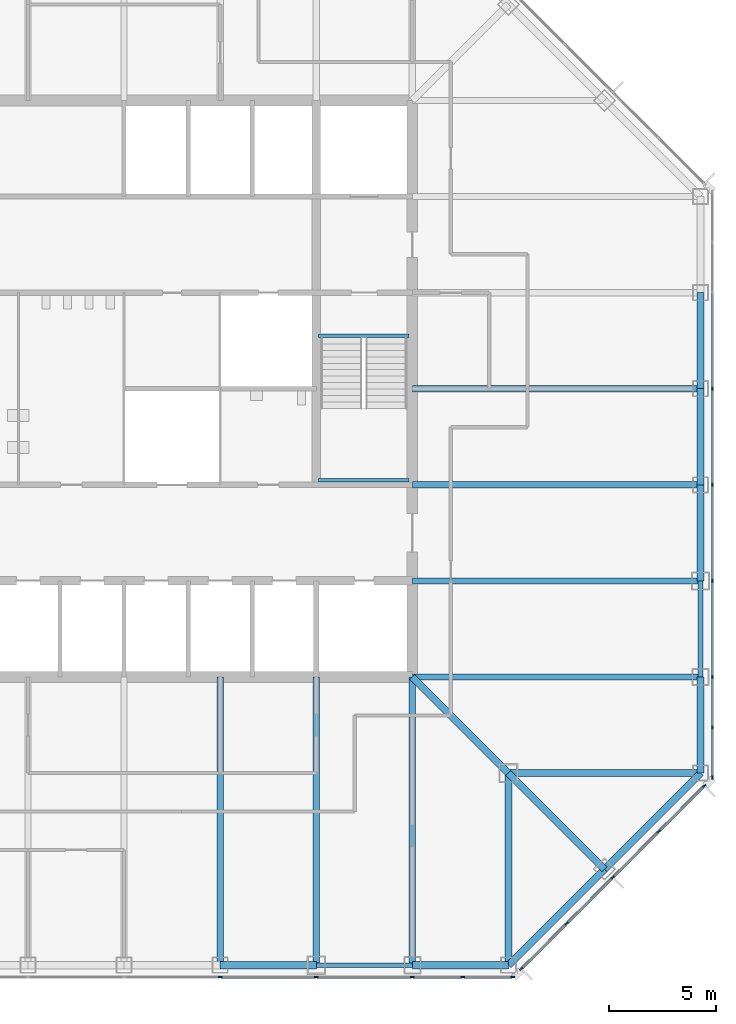
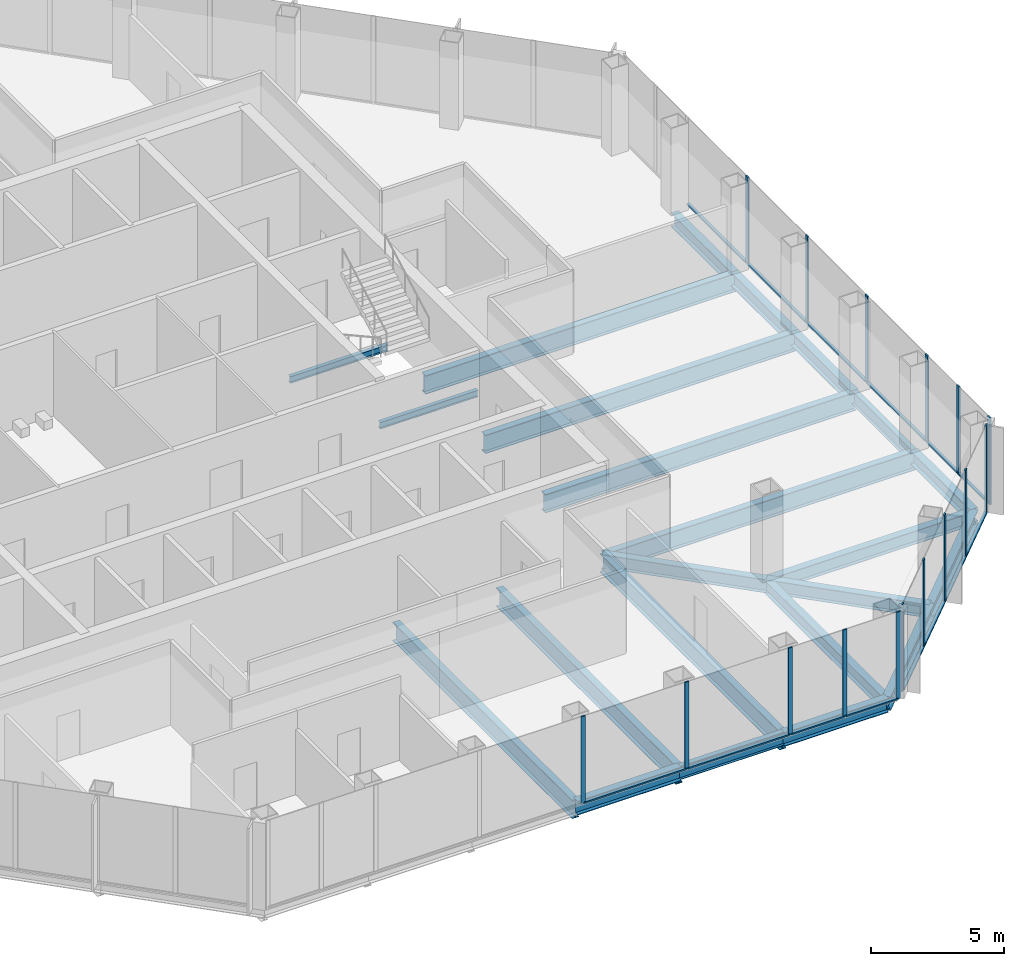
# One storey, part 4 of 13: 30 members, 23 beams, 3 elements without a shape of their own.
"""IFC4 building model written with IfcOpenShell, lengths in metres."""

from ifc_helpers import new_model, si_unit, direction, frame, origin, origin_2d, place, context, subcontext, project, spatial, rectangle, i_section, extrude, material, material_profile, profile_set, type_object, element, aggregate, save


model = new_model("IFC4")

# Units and contexts
model_context = context("Model", 3, precision=1e-05, world=origin(), true_north=direction((0.0, 1.0)))
body_context = subcontext(model_context, "Body", "Model", "MODEL_VIEW")
ifc_project = project(units=[si_unit("LENGTHUNIT", "METRE"), si_unit("AREAUNIT", "SQUARE_METRE"), si_unit("VOLUMEUNIT", "CUBIC_METRE"), si_unit("PLANEANGLEUNIT", "RADIAN"), si_unit("MASSUNIT", "GRAM", prefix="KILO")], contexts=[model_context])

# Site, building, storey
site_placement = place(None, origin())
site = spatial("IfcSite", under=ifc_project, at=site_placement, CompositionType="ELEMENT")
building_placement = place(site_placement, origin())
building = spatial("IfcBuilding", under=site, at=building_placement, Name="Corais Broadcast Tower", CompositionType="ELEMENT")
storey_placement = place(building_placement, frame((0.0, 0.0, 123.60009765625)))
storey = spatial("IfcBuildingStorey", under=building, at=storey_placement, Name="L27", CompositionType="ELEMENT", Elevation=123.60009765625)

# Beams
ifc_material_1 = material(Name="Steel ASTM A572 Grade 50", Category="steel")
ifc_material_profile_1 = material_profile(ifc_material_1, i_section(OverallWidth=0.323974609375, OverallDepth=0.611083984375, WebThickness=0.0126953125, FlangeThickness=0.01904296875, at=origin_2d()), Name="W610x155")
ifc_profile_set_1 = profile_set([ifc_material_profile_1], Name="Steel ASTM A572 Grade 50")
beam_type_1 = type_object("IfcBeamType", Name="Chamfer tie W610x155", PredefinedType="BEAM", material=ifc_profile_set_1)
beam_1_placement = place(storey_placement, frame((49.5, 4.5, -0.465576171875), z_axis=(-0.707106781187, 0.707106781187, 0.0), x_axis=(-0.707106781187, -0.707106781187, 0.0)))
element("IfcBeam", 1, at=beam_1_placement, inside=storey, type_object=beam_type_1, Name="B5 B/14 to C/13", PredefinedType="BEAM", context=body_context, shape_type="SweptSolid", body=[
    extrude(i_section(OverallWidth=0.323974609375, OverallDepth=0.611083984375, WebThickness=0.0126953125, FlangeThickness=0.01904296875, at=origin_2d()), origin(), (0.0, 0.0, 1.0), 6.364013671875),
])
ifc_material_2 = material(Name="Steel ASTM A572 Grade 50", Category="steel")
ifc_material_profile_2 = material_profile(ifc_material_2, i_section(OverallWidth=0.323974609375, OverallDepth=0.611083984375, WebThickness=0.0126953125, FlangeThickness=0.01904296875, at=origin_2d()), Name="W610x155")
ifc_profile_set_2 = profile_set([ifc_material_profile_2], Name="Steel ASTM A572 Grade 50")
beam_type_2 = type_object("IfcBeamType", Name="Corner diagonal W610x155", PredefinedType="BEAM", material=ifc_profile_set_2)
beam_2_placement = place(storey_placement, frame((45.0, 9.0, -0.465576171875), z_axis=(-0.707106781187, 0.707106781187, 0.0), x_axis=(-0.707106781187, -0.707106781187, 0.0)))
element("IfcBeam", 2, at=beam_2_placement, inside=storey, type_object=beam_type_2, Name="B6 C/13 to D/12", PredefinedType="BEAM", context=body_context, shape_type="SweptSolid", body=[
    extrude(i_section(OverallWidth=0.323974609375, OverallDepth=0.611083984375, WebThickness=0.0126953125, FlangeThickness=0.01904296875, at=origin_2d()), origin(), (0.0, 0.0, 1.0), 6.364013671875),
])
ifc_material_3 = material(Name="Steel ASTM A572 Grade 50", Category="steel")
ifc_material_profile_3 = material_profile(ifc_material_3, i_section(OverallWidth=0.323974609375, OverallDepth=0.611083984375, WebThickness=0.0126953125, FlangeThickness=0.01904296875, at=origin_2d()), Name="W610x155")
ifc_profile_set_3 = profile_set([ifc_material_profile_3], Name="Steel ASTM A572 Grade 50")
beam_type_3 = type_object("IfcBeamType", Name="Corner girder W610x155", PredefinedType="BEAM", material=ifc_profile_set_3)
for number, where, z_axis, x_axis, name in (
    (3, (45.0, 0.0, -0.465576171875), (0.0, 1.0, 0.0), (-1.0, 0.0, 0.0), "B4 A/13 to C/13"),
    (4, (54.0, 9.0, -0.465576171875), (-1.0, 0.0, 0.0), (0.0, -1.0, 0.0), "B4 C/15 to C/13"),
):
    element("IfcBeam", number, at=place(storey_placement, frame(where, z_axis=z_axis, x_axis=x_axis)), inside=storey, type_object=beam_type_3, Name=name, PredefinedType="BEAM", context=body_context, shape_type="SweptSolid", body=[
        extrude(i_section(OverallWidth=0.323974609375, OverallDepth=0.611083984375, WebThickness=0.0126953125, FlangeThickness=0.01904296875, at=origin_2d()), origin(), (0.0, 0.0, 1.0), 9.0),
    ])
ifc_material_4 = material(Name="Steel ASTM A572 Grade 50", Category="steel")
ifc_material_profile_4 = material_profile(ifc_material_4, i_section(OverallWidth=0.2939453125, OverallDepth=0.85107421875, WebThickness=0.01611328125, FlangeThickness=0.02685546875, at=origin_2d()), Name="W840x226")
ifc_profile_set_4 = profile_set([ifc_material_profile_4], Name="Steel ASTM A572 Grade 50")
beam_type_4 = type_object("IfcBeamType", Name="Floor beam W840x226", PredefinedType="BEAM", material=ifc_profile_set_4)
for number, where, z_axis, x_axis, name in (
    (5, (31.5, 0.0, -0.585693359375), (0.0, 1.0, 0.0), (-1.0, 0.0, 0.0), "B1 A/10 to D/10"),
    (6, (36.0, 0.0, -0.585693359375), (0.0, 1.0, 0.0), (-1.0, 0.0, 0.0), "B1 A/11 to D/11"),
    (7, (40.5, 0.0, -0.585693359375), (0.0, 1.0, 0.0), (-1.0, 0.0, 0.0), "B1 A/12 to D/12"),
    (8, (54.0, 13.5, -0.585693359375), (-1.0, 0.0, 0.0), (0.0, -1.0, 0.0), "B1 D/15 to D/12"),
    (9, (54.0, 18.0, -0.585693359375), (-1.0, 0.0, 0.0), (0.0, -1.0, 0.0), "B1 E/15 to E/12"),
    (10, (54.0, 22.5, -0.585693359375), (-1.0, 0.0, 0.0), (0.0, -1.0, 0.0), "B1 F/15 to F/12"),
    (11, (54.0, 27.0, -0.585693359375), (-1.0, 0.0, 0.0), (0.0, -1.0, 0.0), "B1 G/15 to G/12"),
):
    element("IfcBeam", number, at=place(storey_placement, frame(where, z_axis=z_axis, x_axis=x_axis)), inside=storey, type_object=beam_type_4, Name=name, PredefinedType="BEAM", context=body_context, shape_type="SweptSolid", body=[
        extrude(i_section(OverallWidth=0.2939453125, OverallDepth=0.85107421875, WebThickness=0.01611328125, FlangeThickness=0.02685546875, at=origin_2d()), origin(), (0.0, 0.0, 1.0), 13.5),
    ])
ifc_material_5 = material(Name="Steel ASTM A572 Grade 50", Category="steel")
ifc_material_profile_5 = material_profile(ifc_material_5, i_section(OverallWidth=0.1650390625, OverallDepth=0.31005859375, WebThickness=0.005859375, FlangeThickness=0.009765625, at=origin_2d()), Name="W310x38.7")
ifc_profile_set_5 = profile_set([ifc_material_profile_5], Name="Steel ASTM A572 Grade 50")
beam_type_5 = type_object("IfcBeamType", Name="Landing trimmer W310x38.7", PredefinedType="BEAM", material=ifc_profile_set_5)
for number, where, z_axis, x_axis, name in (
    (12, (36.10009765625, 29.47509765625, -0.35498046875), (1.0, 0.0, 0.0), (0.0, 1.0, 0.0), "LT1 stair B landing trimmer L27"),
    (13, (36.10009765625, 22.715087890625, 1.64501953125), (1.0, 0.0, 0.0), (0.0, 1.0, 0.0), "LT1 stair B half landing trimmer L27"),
):
    element("IfcBeam", number, at=place(storey_placement, frame(where, z_axis=z_axis, x_axis=x_axis)), inside=storey, type_object=beam_type_5, Name=name, PredefinedType="BEAM", context=body_context, shape_type="SweptSolid", body=[
        extrude(i_section(OverallWidth=0.1650390625, OverallDepth=0.31005859375, WebThickness=0.005859375, FlangeThickness=0.009765625, at=origin_2d()), origin(), (0.0, 0.0, 1.0), 4.25),
    ])

# Curtain wall, members
ifc_material_6 = material(Name="Aluminium and glass", Category="aluminium")
curtain_wall_type = type_object("IfcCurtainWallType", Name="Unitised fritted curtain wall CW2", PredefinedType="NOTDEFINED", material=ifc_material_6)
curtain_wall_1_placement = place(storey_placement, origin())
curtain_wall_1 = element("IfcCurtainWall", 14, at=curtain_wall_1_placement, inside=storey, type_object=curtain_wall_type, Name="CW2 curtain wall L27 6", PredefinedType="NOTDEFINED")
ifc_material_7 = material(Name="Aluminium 6063-T6", Category="aluminium")
ifc_material_profile_6 = material_profile(ifc_material_7, rectangle(XDim=0.06494140625, YDim=0.179931640625, at=origin_2d()), Name="Mullion CW2 65x180")
ifc_profile_set_6 = profile_set([ifc_material_profile_6], Name="Aluminium 6063-T6")
member_type_1 = type_object("IfcMemberType", Name="Mullion CW2 65x180", PredefinedType="MULLION", material=ifc_profile_set_6)
member_1_placement = place(storey_placement, frame((54.550048828125, 27.0, 0.0), z_axis=(0.0, 0.0, 1.0), x_axis=(1.0, 0.0, 0.0)))
member_1 = element("IfcMember", 15, at=member_1_placement, type_object=member_type_1, Name="CW2 mullion 4", PredefinedType="MULLION", context=body_context, shape_type="SweptSolid", body=[
    extrude(rectangle(XDim=0.06494140625, YDim=0.179931640625, at=origin_2d()), origin(), (0.0, 0.0, 1.0), 4.0),
])
member_2_placement = place(storey_placement, frame((54.550048828125, 22.5, 0.0), z_axis=(0.0, 0.0, 1.0), x_axis=(1.0, 0.0, 0.0)))
member_2 = element("IfcMember", 16, at=member_2_placement, type_object=member_type_1, Name="CW2 mullion 5", PredefinedType="MULLION", context=body_context, shape_type="SweptSolid", body=[
    extrude(rectangle(XDim=0.06494140625, YDim=0.179931640625, at=origin_2d()), origin(), (0.0, 0.0, 1.0), 4.0),
])
member_3_placement = place(storey_placement, frame((54.550048828125, 18.0, 0.0), z_axis=(0.0, 0.0, 1.0), x_axis=(1.0, 0.0, 0.0)))
member_3 = element("IfcMember", 17, at=member_3_placement, type_object=member_type_1, Name="CW2 mullion 6", PredefinedType="MULLION", context=body_context, shape_type="SweptSolid", body=[
    extrude(rectangle(XDim=0.06494140625, YDim=0.179931640625, at=origin_2d()), origin(), (0.0, 0.0, 1.0), 4.0),
])
member_4_placement = place(storey_placement, frame((54.550048828125, 13.5, 0.0), z_axis=(0.0, 0.0, 1.0), x_axis=(1.0, 0.0, 0.0)))
member_4 = element("IfcMember", 18, at=member_4_placement, type_object=member_type_1, Name="CW2 mullion 7", PredefinedType="MULLION", context=body_context, shape_type="SweptSolid", body=[
    extrude(rectangle(XDim=0.06494140625, YDim=0.179931640625, at=origin_2d()), origin(), (0.0, 0.0, 1.0), 4.0),
])
member_5_placement = place(storey_placement, frame((54.550048828125, 11.135986328125, 0.0), z_axis=(0.0, 0.0, 1.0), x_axis=(1.0, 0.0, 0.0)))
member_5 = element("IfcMember", 19, at=member_5_placement, type_object=member_type_1, Name="CW2 mullion 8", PredefinedType="MULLION", context=body_context, shape_type="SweptSolid", body=[
    extrude(rectangle(XDim=0.06494140625, YDim=0.179931640625, at=origin_2d()), origin(), (0.0, 0.0, 1.0), 4.0),
])
member_6_placement = place(storey_placement, frame((54.550048828125, 8.8046875, 0.0), z_axis=(0.0, 0.0, 1.0), x_axis=(1.0, 0.0, 0.0)))
member_6 = element("IfcMember", 20, at=member_6_placement, type_object=member_type_1, Name="CW2 mullion 9", PredefinedType="MULLION", context=body_context, shape_type="SweptSolid", body=[
    extrude(rectangle(XDim=0.06494140625, YDim=0.179931640625, at=origin_2d()), origin(), (0.0, 0.0, 1.0), 4.0),
])

curtain_wall_2_placement = place(storey_placement, origin())
curtain_wall_2 = element("IfcCurtainWall", 21, at=curtain_wall_2_placement, inside=storey, type_object=curtain_wall_type, Name="CW2 curtain wall L27 7", PredefinedType="NOTDEFINED")
member_7_placement = place(storey_placement, frame((54.17333984375, 8.3955078125, 0.0), z_axis=(0.0, 0.0, 1.0), x_axis=(0.707106781187, -0.707106781187, 0.0)))
member_7 = element("IfcMember", 22, at=member_7_placement, type_object=member_type_1, Name="CW2 mullion 1", PredefinedType="MULLION", context=body_context, shape_type="SweptSolid", body=[
    extrude(rectangle(XDim=0.06494140625, YDim=0.179931640625, at=origin_2d()), origin(), (0.0, 0.0, 1.0), 4.0),
])
member_8_placement = place(storey_placement, frame((52.042724609375, 6.264892578125, 0.0), z_axis=(0.0, 0.0, 1.0), x_axis=(0.707106781187, -0.707106781187, 0.0)))
member_8 = element("IfcMember", 23, at=member_8_placement, type_object=member_type_1, Name="CW2 mullion 2", PredefinedType="MULLION", context=body_context, shape_type="SweptSolid", body=[
    extrude(rectangle(XDim=0.06494140625, YDim=0.179931640625, at=origin_2d()), origin(), (0.0, 0.0, 1.0), 4.0),
])
member_9_placement = place(storey_placement, frame((49.888916015625, 4.111083984375, 0.0), z_axis=(0.0, 0.0, 1.0), x_axis=(0.707106781187, -0.707106781187, 0.0)))
member_9 = element("IfcMember", 24, at=member_9_placement, type_object=member_type_1, Name="CW2 mullion 3", PredefinedType="MULLION", context=body_context, shape_type="SweptSolid", body=[
    extrude(rectangle(XDim=0.06494140625, YDim=0.179931640625, at=origin_2d()), origin(), (0.0, 0.0, 1.0), 4.0),
])
member_10_placement = place(storey_placement, frame((47.735107421875, 1.957275390625, 0.0), z_axis=(0.0, 0.0, 1.0), x_axis=(0.707106781187, -0.707106781187, 0.0)))
member_10 = element("IfcMember", 25, at=member_10_placement, type_object=member_type_1, Name="CW2 mullion 4", PredefinedType="MULLION", context=body_context, shape_type="SweptSolid", body=[
    extrude(rectangle(XDim=0.06494140625, YDim=0.179931640625, at=origin_2d()), origin(), (0.0, 0.0, 1.0), 4.0),
])
member_11_placement = place(storey_placement, frame((45.6044921875, -0.17333984375, 0.0), z_axis=(0.0, 0.0, 1.0), x_axis=(0.707106781187, -0.707106781187, 0.0)))
member_11 = element("IfcMember", 26, at=member_11_placement, type_object=member_type_1, Name="CW2 mullion 5", PredefinedType="MULLION", context=body_context, shape_type="SweptSolid", body=[
    extrude(rectangle(XDim=0.06494140625, YDim=0.179931640625, at=origin_2d()), origin(), (0.0, 0.0, 1.0), 4.0),
])

curtain_wall_3_placement = place(storey_placement, origin())
curtain_wall_3 = element("IfcCurtainWall", 27, at=curtain_wall_3_placement, inside=storey, type_object=curtain_wall_type, Name="CW2 curtain wall L27 8", PredefinedType="NOTDEFINED")
member_12_placement = place(storey_placement, frame((45.1953125, -0.550048828125, 0.0), z_axis=(0.0, 0.0, 1.0), x_axis=(0.0, -1.0, 0.0)))
member_12 = element("IfcMember", 28, at=member_12_placement, type_object=member_type_1, Name="CW2 mullion 1", PredefinedType="MULLION", context=body_context, shape_type="SweptSolid", body=[
    extrude(rectangle(XDim=0.06494140625, YDim=0.179931640625, at=origin_2d()), origin(), (0.0, 0.0, 1.0), 4.0),
])
member_13_placement = place(storey_placement, frame((42.864013671875, -0.550048828125, 0.0), z_axis=(0.0, 0.0, 1.0), x_axis=(0.0, -1.0, 0.0)))
member_13 = element("IfcMember", 29, at=member_13_placement, type_object=member_type_1, Name="CW2 mullion 2", PredefinedType="MULLION", context=body_context, shape_type="SweptSolid", body=[
    extrude(rectangle(XDim=0.06494140625, YDim=0.179931640625, at=origin_2d()), origin(), (0.0, 0.0, 1.0), 4.0),
])
member_14_placement = place(storey_placement, frame((40.5, -0.550048828125, 0.0), z_axis=(0.0, 0.0, 1.0), x_axis=(0.0, -1.0, 0.0)))
member_14 = element("IfcMember", 30, at=member_14_placement, type_object=member_type_1, Name="CW2 mullion 3", PredefinedType="MULLION", context=body_context, shape_type="SweptSolid", body=[
    extrude(rectangle(XDim=0.06494140625, YDim=0.179931640625, at=origin_2d()), origin(), (0.0, 0.0, 1.0), 4.0),
])
member_15_placement = place(storey_placement, frame((36.0, -0.550048828125, 0.0), z_axis=(0.0, 0.0, 1.0), x_axis=(0.0, -1.0, 0.0)))
member_15 = element("IfcMember", 31, at=member_15_placement, type_object=member_type_1, Name="CW2 mullion 4", PredefinedType="MULLION", context=body_context, shape_type="SweptSolid", body=[
    extrude(rectangle(XDim=0.06494140625, YDim=0.179931640625, at=origin_2d()), origin(), (0.0, 0.0, 1.0), 4.0),
])
member_16_placement = place(storey_placement, frame((31.5, -0.550048828125, 0.0), z_axis=(0.0, 0.0, 1.0), x_axis=(0.0, -1.0, 0.0)))
member_16 = element("IfcMember", 32, at=member_16_placement, type_object=member_type_1, Name="CW2 mullion 5", PredefinedType="MULLION", context=body_context, shape_type="SweptSolid", body=[
    extrude(rectangle(XDim=0.06494140625, YDim=0.179931640625, at=origin_2d()), origin(), (0.0, 0.0, 1.0), 4.0),
])

# Beams
ifc_material_8 = material(Name="Steel ASTM A572 Grade 50", Category="steel")
ifc_material_profile_7 = material_profile(ifc_material_8, i_section(OverallWidth=0.22900390625, OverallDepth=0.612060546875, WebThickness=0.011962890625, FlangeThickness=0.01953125, at=origin_2d()), Name="W610x125")
ifc_profile_set_7 = profile_set([ifc_material_profile_7], Name="Steel ASTM A572 Grade 50")
beam_type_6 = type_object("IfcBeamType", Name="Pinned spandrel W610x125", PredefinedType="BEAM", material=ifc_profile_set_7)
for number, where, z_axis, x_axis, name in (
    (33, (36.0, 0.0, -0.466064453125), (1.0, 0.0, 0.0), (0.0, 1.0, 0.0), "SB7 A/11 to A/12"),
    (34, (54.0, 13.5, -0.466064453125), (0.0, 1.0, 0.0), (-1.0, 0.0, 0.0), "SB7 D/15 to E/15"),
):
    element("IfcBeam", number, at=place(storey_placement, frame(where, z_axis=z_axis, x_axis=x_axis)), inside=storey, type_object=beam_type_6, Name=name, PredefinedType="BEAM", context=body_context, shape_type="SweptSolid", body=[
        extrude(i_section(OverallWidth=0.22900390625, OverallDepth=0.612060546875, WebThickness=0.011962890625, FlangeThickness=0.01953125, at=origin_2d()), origin(), (0.0, 0.0, 1.0), 4.5),
    ])
ifc_material_9 = material(Name="Steel ASTM A572 Grade 50", Category="steel")
ifc_material_profile_8 = material_profile(ifc_material_9, i_section(OverallWidth=0.3291015625, OverallDepth=0.635009765625, WebThickness=0.017822265625, FlangeThickness=0.031005859375, at=origin_2d()), Name="W610x241")
ifc_profile_set_8 = profile_set([ifc_material_profile_8], Name="Steel ASTM A572 Grade 50")
beam_type_7 = type_object("IfcBeamType", Name="Spandrel W610x241", PredefinedType="BEAM", material=ifc_profile_set_8)
for number, where, z_axis, x_axis, name in (
    (35, (31.5, 0.0, -0.4775390625), (1.0, 0.0, 0.0), (0.0, 1.0, 0.0), "SB1 A/10 to A/11"),
    (36, (40.5, 0.0, -0.4775390625), (1.0, 0.0, 0.0), (0.0, 1.0, 0.0), "SB1 A/12 to A/13"),
):
    element("IfcBeam", number, at=place(storey_placement, frame(where, z_axis=z_axis, x_axis=x_axis)), inside=storey, type_object=beam_type_7, Name=name, PredefinedType="BEAM", context=body_context, shape_type="SweptSolid", body=[
        extrude(i_section(OverallWidth=0.3291015625, OverallDepth=0.635009765625, WebThickness=0.017822265625, FlangeThickness=0.031005859375, at=origin_2d()), origin(), (0.0, 0.0, 1.0), 4.5),
    ])
for number, where, z_axis, x_axis, name in (
    (37, (45.0, 0.0, -0.4775390625), (0.707106781187, 0.707106781187, 0.0), (-0.707106781187, 0.707106781187, 0.0), "SB1 A/13 to B/14"),
    (38, (49.5, 4.5, -0.4775390625), (0.707106781187, 0.707106781187, 0.0), (-0.707106781187, 0.707106781187, 0.0), "SB1 B/14 to C/15"),
):
    element("IfcBeam", number, at=place(storey_placement, frame(where, z_axis=z_axis, x_axis=x_axis)), inside=storey, type_object=beam_type_7, Name=name, PredefinedType="BEAM", context=body_context, shape_type="SweptSolid", body=[
        extrude(i_section(OverallWidth=0.3291015625, OverallDepth=0.635009765625, WebThickness=0.017822265625, FlangeThickness=0.031005859375, at=origin_2d()), origin(), (0.0, 0.0, 1.0), 6.364013671875),
    ])
for number, where, z_axis, x_axis, name in (
    (39, (54.0, 18.0, -0.4775390625), (0.0, 1.0, 0.0), (-1.0, 0.0, 0.0), "SB1 E/15 to F/15"),
    (40, (54.0, 22.5, -0.4775390625), (0.0, 1.0, 0.0), (-1.0, 0.0, 0.0), "SB1 F/15 to G/15"),
    (41, (54.0, 27.0, -0.4775390625), (0.0, 1.0, 0.0), (-1.0, 0.0, 0.0), "SB1 G/15 to H/15"),
    (42, (54.0, 9.0, -0.4775390625), (0.0, 1.0, 0.0), (-1.0, 0.0, 0.0), "SB1 C/15 to D/15"),
):
    element("IfcBeam", number, at=place(storey_placement, frame(where, z_axis=z_axis, x_axis=x_axis)), inside=storey, type_object=beam_type_7, Name=name, PredefinedType="BEAM", context=body_context, shape_type="SweptSolid", body=[
        extrude(i_section(OverallWidth=0.3291015625, OverallDepth=0.635009765625, WebThickness=0.017822265625, FlangeThickness=0.031005859375, at=origin_2d()), origin(), (0.0, 0.0, 1.0), 4.5),
    ])

# Member
ifc_material_10 = material(Name="Aluminium 6063-T6", Category="aluminium")
ifc_material_profile_9 = material_profile(ifc_material_10, rectangle(XDim=0.1298828125, YDim=0.06494140625, at=origin_2d()), Name="Transom CW2 65x130")
ifc_profile_set_9 = profile_set([ifc_material_profile_9], Name="Aluminium 6063-T6")
member_type_2 = type_object("IfcMemberType", Name="Transom CW2 65x130", PredefinedType="USERDEFINED", material=ifc_profile_set_9)
member_17_placement = place(storey_placement, frame((54.550048828125, 31.467529296875, 0.032470703125), z_axis=(0.0, -1.0, 0.0), x_axis=(1.0, 0.0, 0.0)))
member_17 = element("IfcMember", 43, at=member_17_placement, type_object=member_type_2, Name="CW2 transom 3.1", ObjectType="TRANSOM", PredefinedType="USERDEFINED", context=body_context, shape_type="SweptSolid", body=[
    extrude(rectangle(XDim=0.1298828125, YDim=0.06494140625, at=origin_2d()), origin(), (0.0, 0.0, 1.0), 4.43505859375),
])

member_18_placement = place(storey_placement, frame((54.550048828125, 26.967529296875, 0.032470703125), z_axis=(0.0, -1.0, 0.0), x_axis=(1.0, 0.0, 0.0)))
member_18 = element("IfcMember", 44, at=member_18_placement, type_object=member_type_2, Name="CW2 transom 4.1", ObjectType="TRANSOM", PredefinedType="USERDEFINED", context=body_context, shape_type="SweptSolid", body=[
    extrude(rectangle(XDim=0.1298828125, YDim=0.06494140625, at=origin_2d()), origin(), (0.0, 0.0, 1.0), 4.43505859375),
])

member_19_placement = place(storey_placement, frame((54.550048828125, 22.467529296875, 0.032470703125), z_axis=(0.0, -1.0, 0.0), x_axis=(1.0, 0.0, 0.0)))
member_19 = element("IfcMember", 45, at=member_19_placement, type_object=member_type_2, Name="CW2 transom 5.1", ObjectType="TRANSOM", PredefinedType="USERDEFINED", context=body_context, shape_type="SweptSolid", body=[
    extrude(rectangle(XDim=0.1298828125, YDim=0.06494140625, at=origin_2d()), origin(), (0.0, 0.0, 1.0), 4.43505859375),
])

member_20_placement = place(storey_placement, frame((54.550048828125, 17.967529296875, 0.032470703125), z_axis=(0.0, -1.0, 0.0), x_axis=(1.0, 0.0, 0.0)))
member_20 = element("IfcMember", 46, at=member_20_placement, type_object=member_type_2, Name="CW2 transom 6.1", ObjectType="TRANSOM", PredefinedType="USERDEFINED", context=body_context, shape_type="SweptSolid", body=[
    extrude(rectangle(XDim=0.1298828125, YDim=0.06494140625, at=origin_2d()), origin(), (0.0, 0.0, 1.0), 4.43505859375),
])

member_21_placement = place(storey_placement, frame((54.550048828125, 13.467529296875, 0.032470703125), z_axis=(0.0, -1.0, 0.0), x_axis=(1.0, 0.0, 0.0)))
member_21 = element("IfcMember", 47, at=member_21_placement, type_object=member_type_2, Name="CW2 transom 7.1", ObjectType="TRANSOM", PredefinedType="USERDEFINED", context=body_context, shape_type="SweptSolid", body=[
    extrude(rectangle(XDim=0.1298828125, YDim=0.06494140625, at=origin_2d()), origin(), (0.0, 0.0, 1.0), 2.298828125),
])

member_22_placement = place(storey_placement, frame((54.550048828125, 11.103515625, 0.032470703125), z_axis=(0.0, -1.0, 0.0), x_axis=(1.0, 0.0, 0.0)))
member_22 = element("IfcMember", 48, at=member_22_placement, type_object=member_type_2, Name="CW2 transom 8.1", ObjectType="TRANSOM", PredefinedType="USERDEFINED", context=body_context, shape_type="SweptSolid", body=[
    extrude(rectangle(XDim=0.1298828125, YDim=0.06494140625, at=origin_2d()), origin(), (0.0, 0.0, 1.0), 2.266357421875),
])

aggregate(curtain_wall_1, [member_1, member_2, member_3, member_4, member_5, member_6, member_17, member_18, member_19, member_20, member_21, member_22])

member_23_placement = place(storey_placement, frame((54.150390625, 8.37255859375, 0.032470703125), z_axis=(-0.707106781187, -0.707106781187, 0.0), x_axis=(0.707106781187, -0.707106781187, 0.0)))
member_23 = element("IfcMember", 49, at=member_23_placement, type_object=member_type_2, Name="CW2 transom 1.1", ObjectType="TRANSOM", PredefinedType="USERDEFINED", context=body_context, shape_type="SweptSolid", body=[
    extrude(rectangle(XDim=0.1298828125, YDim=0.06494140625, at=origin_2d()), origin(), (0.0, 0.0, 1.0), 2.9482421875),
])

member_24_placement = place(storey_placement, frame((52.019775390625, 6.241943359375, 0.032470703125), z_axis=(-0.707106781187, -0.707106781187, 0.0), x_axis=(0.707106781187, -0.707106781187, 0.0)))
member_24 = element("IfcMember", 50, at=member_24_placement, type_object=member_type_2, Name="CW2 transom 2.1", ObjectType="TRANSOM", PredefinedType="USERDEFINED", context=body_context, shape_type="SweptSolid", body=[
    extrude(rectangle(XDim=0.1298828125, YDim=0.06494140625, at=origin_2d()), origin(), (0.0, 0.0, 1.0), 2.98095703125),
])

member_25_placement = place(storey_placement, frame((49.865966796875, 4.088134765625, 0.032470703125), z_axis=(-0.707106781187, -0.707106781187, 0.0), x_axis=(0.707106781187, -0.707106781187, 0.0)))
member_25 = element("IfcMember", 51, at=member_25_placement, type_object=member_type_2, Name="CW2 transom 3.1", ObjectType="TRANSOM", PredefinedType="USERDEFINED", context=body_context, shape_type="SweptSolid", body=[
    extrude(rectangle(XDim=0.1298828125, YDim=0.06494140625, at=origin_2d()), origin(), (0.0, 0.0, 1.0), 2.98095703125),
])

member_26_placement = place(storey_placement, frame((47.712158203125, 1.934326171875, 0.032470703125), z_axis=(-0.707106781187, -0.707106781187, 0.0), x_axis=(0.707106781187, -0.707106781187, 0.0)))
member_26 = element("IfcMember", 52, at=member_26_placement, type_object=member_type_2, Name="CW2 transom 4.1", ObjectType="TRANSOM", PredefinedType="USERDEFINED", context=body_context, shape_type="SweptSolid", body=[
    extrude(rectangle(XDim=0.1298828125, YDim=0.06494140625, at=origin_2d()), origin(), (0.0, 0.0, 1.0), 2.9482421875),
])

aggregate(curtain_wall_2, [member_7, member_8, member_9, member_10, member_11, member_23, member_24, member_25, member_26])

member_27_placement = place(storey_placement, frame((45.162841796875, -0.550048828125, 0.032470703125), z_axis=(-1.0, 0.0, 0.0), x_axis=(0.0, -1.0, 0.0)))
member_27 = element("IfcMember", 53, at=member_27_placement, type_object=member_type_2, Name="CW2 transom 1.1", ObjectType="TRANSOM", PredefinedType="USERDEFINED", context=body_context, shape_type="SweptSolid", body=[
    extrude(rectangle(XDim=0.1298828125, YDim=0.06494140625, at=origin_2d()), origin(), (0.0, 0.0, 1.0), 2.266357421875),
])

member_28_placement = place(storey_placement, frame((42.831298828125, -0.550048828125, 0.032470703125), z_axis=(-1.0, 0.0, 0.0), x_axis=(0.0, -1.0, 0.0)))
member_28 = element("IfcMember", 54, at=member_28_placement, type_object=member_type_2, Name="CW2 transom 2.1", ObjectType="TRANSOM", PredefinedType="USERDEFINED", context=body_context, shape_type="SweptSolid", body=[
    extrude(rectangle(XDim=0.1298828125, YDim=0.06494140625, at=origin_2d()), origin(), (0.0, 0.0, 1.0), 2.298828125),
])

member_29_placement = place(storey_placement, frame((40.467529296875, -0.550048828125, 0.032470703125), z_axis=(-1.0, 0.0, 0.0), x_axis=(0.0, -1.0, 0.0)))
member_29 = element("IfcMember", 55, at=member_29_placement, type_object=member_type_2, Name="CW2 transom 3.1", ObjectType="TRANSOM", PredefinedType="USERDEFINED", context=body_context, shape_type="SweptSolid", body=[
    extrude(rectangle(XDim=0.1298828125, YDim=0.06494140625, at=origin_2d()), origin(), (0.0, 0.0, 1.0), 4.43505859375),
])

member_30_placement = place(storey_placement, frame((35.967529296875, -0.550048828125, 0.032470703125), z_axis=(-1.0, 0.0, 0.0), x_axis=(0.0, -1.0, 0.0)))
member_30 = element("IfcMember", 56, at=member_30_placement, type_object=member_type_2, Name="CW2 transom 4.1", ObjectType="TRANSOM", PredefinedType="USERDEFINED", context=body_context, shape_type="SweptSolid", body=[
    extrude(rectangle(XDim=0.1298828125, YDim=0.06494140625, at=origin_2d()), origin(), (0.0, 0.0, 1.0), 4.43505859375),
])

aggregate(curtain_wall_3, [member_12, member_13, member_14, member_15, member_16, member_27, member_28, member_29, member_30])

save(model, "model.ifc")
